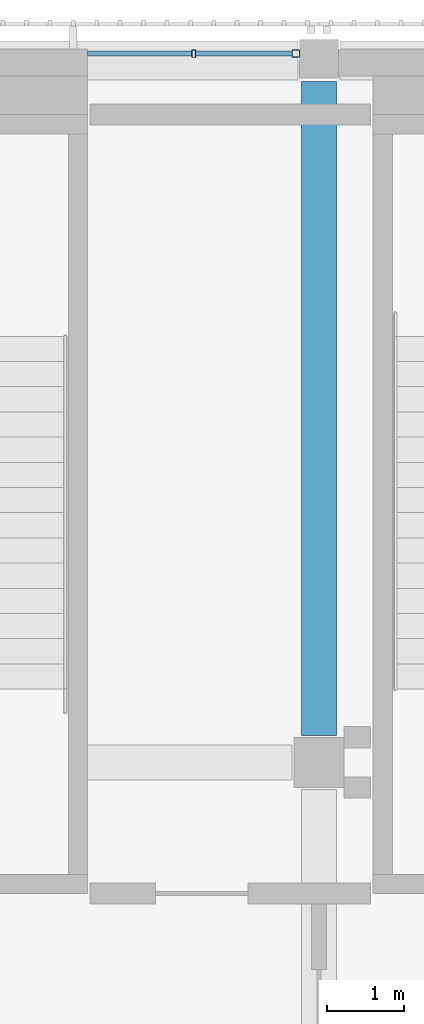
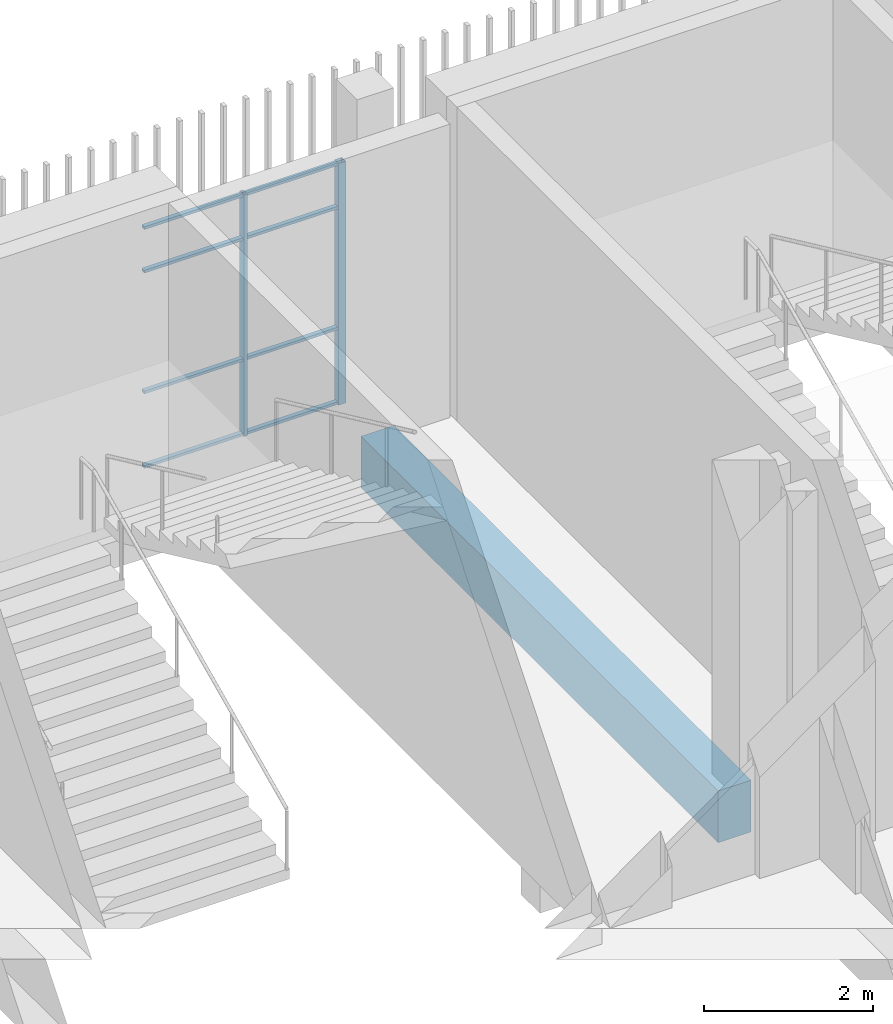
# One storey, part 22 of 104: 10 members, 1 beam, 1 element without a shape of its own.
"""IFC4 building model written with IfcOpenShell, lengths in metres."""

import ifcopenshell
import ifcopenshell.guid

model = None  # the IFC model being written
_history = None  # IfcOwnerHistory: only IFC2X3 demands one
_inside = {}  # id of a spatial element -> (the spatial element, [elements in it])
_under = {}  # id of a project, library or spatial element -> (it, [spatial elements below it])
_declared = {}  # id of a project -> (the project, [libraries it declares])
_typed = {}  # id of a type object -> (the type object, [elements of that type])
_made_of = {}  # id of a material, layer set ... -> (it, [elements and type objects made of it])


def new_model(schema):
    """Start an empty IFC model of exactly this schema.

    Asked for "IFC4X3", IfcOpenShell would pick the latest addendum, in which some entities
    have other attributes; the version numbers below select the first issue.
    IFC2X3 requires an IfcOwnerHistory on every rooted entity: one is made here for all.
    """
    global model, _history
    if schema == "IFC4X3":
        model = ifcopenshell.file(schema_version=(4, 3, 0, 0))
    else:
        model = ifcopenshell.file(schema=schema)
    _inside.clear()
    _under.clear()
    _declared.clear()
    _typed.clear()
    _made_of.clear()
    _history = None
    if model.schema == "IFC2X3":
        org = make("IfcOrganization", Name="unknown")
        user = make(
            "IfcPersonAndOrganization",
            ThePerson=make("IfcPerson", FamilyName="unknown"),
            TheOrganization=org,
        )
        app = make(
            "IfcApplication",
            ApplicationDeveloper=org,
            Version="unknown",
            ApplicationFullName="unknown",
            ApplicationIdentifier="unknown",
        )
        _history = make(
            "IfcOwnerHistory",
            OwningUser=user,
            OwningApplication=app,
            ChangeAction="ADDED",
            CreationDate=0,
        )
    return model


def make(cls, **values):
    """One entity of the class cls with the attributes given. An attribute that is None is left unset."""
    return model.create_entity(
        cls, **{name: value for name, value in values.items() if value is not None}
    )


def rooted(cls, **values):
    """An entity with a GlobalId (a new one), such as an element, a storey or a relation."""
    return make(cls, GlobalId=ifcopenshell.guid.new(), OwnerHistory=_history, **values)


def si_unit(unit_type, name, prefix=None):
    """IfcSIUnit, for example si_unit("LENGTHUNIT", "METRE", prefix="MILLI")."""
    return make("IfcSIUnit", UnitType=unit_type, Prefix=prefix, Name=name)


def assignment(units):
    """IfcUnitAssignment: the units of a project."""
    return None if units is None else make("IfcUnitAssignment", Units=units)


def point(xyz):
    """IfcCartesianPoint."""
    return None if xyz is None else make("IfcCartesianPoint", Coordinates=xyz)


def direction(xyz):
    """IfcDirection."""
    return None if xyz is None else make("IfcDirection", DirectionRatios=xyz)


def frame(location, z_axis=None, x_axis=None):
    """IfcAxis2Placement3D, a coordinate frame: its origin and axes. An axis left out is left unset."""
    return make(
        "IfcAxis2Placement3D",
        Location=point(location),
        Axis=direction(z_axis),
        RefDirection=direction(x_axis),
    )


def frame_2d(location, x_axis=None):
    """IfcAxis2Placement2D, a coordinate frame in the plane: its origin and x axis."""
    return make(
        "IfcAxis2Placement2D", Location=point(location), RefDirection=direction(x_axis)
    )


def origin():
    """The frame at (0, 0, 0) with its axes left unset."""
    return frame((0.0, 0.0, 0.0))


def origin_2d():
    """The frame at (0, 0) in the plane with its x axis left unset."""
    return frame_2d((0.0, 0.0))


def place(relative_to, where):
    """IfcLocalPlacement: puts the frame where relative to a parent placement (None: the world)."""
    return make(
        "IfcLocalPlacement", PlacementRelTo=relative_to, RelativePlacement=where
    )


def context(
    kind, dimensions, precision=None, world=None, true_north=None, identifier=None
):
    """IfcGeometricRepresentationContext, for example the 3D "Model" context."""
    return make(
        "IfcGeometricRepresentationContext",
        ContextIdentifier=identifier,
        ContextType=kind,
        CoordinateSpaceDimension=dimensions,
        Precision=precision,
        WorldCoordinateSystem=world,
        TrueNorth=true_north,
    )


def subcontext(parent, identifier, kind, view, scale=None):
    """IfcGeometricRepresentationSubContext, for example "Body" below "Model"."""
    return make(
        "IfcGeometricRepresentationSubContext",
        ContextIdentifier=identifier,
        ContextType=kind,
        ParentContext=parent,
        TargetScale=scale,
        TargetView=view,
    )


def project(units=None, contexts=None):
    """IfcProject with its units and contexts."""
    return rooted(
        "IfcProject",
        Name="project",
        RepresentationContexts=contexts,
        UnitsInContext=assignment(units),
    )


def spatial(cls, under=None, at=None, **own):
    """A site, building, storey or space (cls), placed at a placement, below another one or the project."""
    s = rooted(cls, ObjectPlacement=at, **own)
    if under is not None:
        _under.setdefault(under.id(), (under, []))[1].append(s)
    return s


def profile(cls, at=None, kind="AREA", **sizes):
    """A parametric profile (cls). Its sizes go by their IFC names, for example OverallWidth=200.0."""
    return make(cls, ProfileType=kind, Position=at, **sizes)


def rectangle(**sizes):
    """IfcRectangleProfileDef."""
    return profile("IfcRectangleProfileDef", **sizes)


def hollow_rectangle(**sizes):
    """IfcRectangleHollowProfileDef."""
    return profile("IfcRectangleHollowProfileDef", **sizes)


def extrude(swept, where, along, depth):
    """IfcExtrudedAreaSolid: the profile swept, set in the frame where, extruded along a direction by depth."""
    return make(
        "IfcExtrudedAreaSolid",
        SweptArea=swept,
        Position=where,
        ExtrudedDirection=direction(along),
        Depth=depth,
    )


def shape(context_of_items, identifier, shape_type, items):
    """IfcShapeRepresentation: the items that make up one representation, for example the "Body"."""
    return make(
        "IfcShapeRepresentation",
        ContextOfItems=context_of_items,
        RepresentationIdentifier=identifier,
        RepresentationType=shape_type,
        Items=items,
    )


def material(Name=None, Category=None):
    """IfcMaterial."""
    return make("IfcMaterial", Name=Name, Category=Category)


def layer(
    of_material, thickness, ventilated=None, Name=None, Category=None, Priority=None
):
    """IfcMaterialLayer: one layer of a wall or slab, of a material (None: an air gap)."""
    return make(
        "IfcMaterialLayer",
        Material=of_material,
        LayerThickness=thickness,
        IsVentilated=ventilated,
        Name=Name,
        Category=Category,
        Priority=Priority,
    )


def layer_set(layers, Name=None):
    """IfcMaterialLayerSet."""
    return make("IfcMaterialLayerSet", MaterialLayers=layers, LayerSetName=Name)


def material_profile(
    of_material, cross_section, Name=None, Category=None, Priority=None
):
    """IfcMaterialProfile: a cross section and its material."""
    return make(
        "IfcMaterialProfile",
        Name=Name,
        Material=of_material,
        Profile=cross_section,
        Priority=Priority,
        Category=Category,
    )


def profile_set(profiles, Name=None, composite=None):
    """IfcMaterialProfileSet."""
    return make(
        "IfcMaterialProfileSet",
        Name=Name,
        MaterialProfiles=profiles,
        CompositeProfile=composite,
    )


def made_of(thing, what):
    """Note that an element or type object is made of a material, layer set ...; save() writes the relation."""
    if what is not None:
        _made_of.setdefault(what.id(), (what, []))[1].append(thing)
    return thing


def type_object(cls, material=None, **own):
    """A type object (cls), such as IfcWallType, which elements share."""
    return made_of(rooted(cls, **own), material)


def element(
    cls,
    number,
    at=None,
    inside=None,
    cuts=None,
    type_object=None,
    material=None,
    context=None,
    identifier="Body",
    shape_type=None,
    held_by="IfcProductDefinitionShape",
    body=None,
    shapes=None,
    **own,
):
    """One element of the class cls, such as IfcWall. Its Tag is "e" and its number.

    at: its placement. inside: the storey or other place that contains it. cuts: it is an
    opening in that element (IfcRelVoidsElement). A single representation is given by context,
    identifier, shape_type and body (its items); several are given by shapes. held_by: the class
    of the entity that holds the representations. save() writes the other relations.
    """
    e = rooted(cls, Tag="e%d" % number, ObjectPlacement=at, **own)
    if body is not None:
        shapes = [shape(context, identifier, shape_type, body)]
    if shapes is not None:
        e.Representation = make(held_by, Representations=shapes)
    if inside is not None:
        _inside.setdefault(inside.id(), (inside, []))[1].append(e)
    if cuts is not None:
        rooted(
            "IfcRelVoidsElement", RelatingBuildingElement=cuts, RelatedOpeningElement=e
        )
    if type_object is not None:
        _typed.setdefault(type_object.id(), (type_object, []))[1].append(e)
    return made_of(e, material)


def aggregate(whole, parts):
    """IfcRelAggregates: a whole, such as a stair, and the parts it consists of."""
    return rooted("IfcRelAggregates", RelatingObject=whole, RelatedObjects=parts)


def save(model, path):
    """Write the relations noted so far, then the file.

    IfcRelAggregates (storeys below a building ...), IfcRelContainedInSpatialStructure (elements
    in a storey), IfcRelDefinesByType, IfcRelAssociatesMaterial and IfcRelDeclares: one each for
    every whole, place, type object, material and project.
    """
    for whole, parts in _under.values():
        aggregate(whole, parts)
    for where, things in _inside.values():
        rooted(
            "IfcRelContainedInSpatialStructure",
            RelatedElements=things,
            RelatingStructure=where,
        )
    for kind, things in _typed.values():
        rooted("IfcRelDefinesByType", RelatedObjects=things, RelatingType=kind)
    for what, things in _made_of.values():
        rooted("IfcRelAssociatesMaterial", RelatedObjects=things, RelatingMaterial=what)
    for by, libraries in _declared.values():
        rooted("IfcRelDeclares", RelatingContext=by, RelatedDefinitions=libraries)
    model.write(path)


model = new_model("IFC4")

# Units and contexts
model_context = context("Model", 3, precision=1e-05, world=origin(), true_north=direction((0.0, 1.0)))
body_context = subcontext(model_context, "Body", "Model", "MODEL_VIEW")
ifc_project = project(units=[si_unit("LENGTHUNIT", "METRE"), si_unit("AREAUNIT", "SQUARE_METRE"), si_unit("VOLUMEUNIT", "CUBIC_METRE"), si_unit("PLANEANGLEUNIT", "RADIAN"), si_unit("MASSUNIT", "GRAM", prefix="KILO")], contexts=[model_context])

# Site, building, storey
site_placement = place(None, origin())
site = spatial("IfcSite", under=ifc_project, at=site_placement, CompositionType="ELEMENT")
building_placement = place(site_placement, origin())
building = spatial("IfcBuilding", under=site, at=building_placement, Name="Shirokan Park Arena", CompositionType="ELEMENT")
storey_placement = place(building_placement, frame((0.0, 0.0, 10.919921875)))
storey = spatial("IfcBuildingStorey", under=building, at=storey_placement, Name="L02", CompositionType="ELEMENT", Elevation=10.919921875)

# Curtain wall, members
ifc_material_1 = material(Name="Steel and glass curtain wall", Category="steel")
ifc_layer = layer(ifc_material_1, 0.1201171875)
ifc_layer_set = layer_set([ifc_layer], Name="Steel and glass curtain wall 120 mm")
curtain_wall_type = type_object("IfcCurtainWallType", Name="Curtain wall corner block side bay 120", PredefinedType="NOTDEFINED", material=ifc_layer_set)
curtain_wall_placement = place(storey_placement, origin())
curtain_wall = element("IfcCurtainWall", 1, at=curtain_wall_placement, inside=storey, type_object=curtain_wall_type, Name="Curtain wall north bay 14 L02", PredefinedType="NOTDEFINED")
ifc_material_2 = material(Name="Steel S355", Category="steel")
ifc_material_profile_1 = material_profile(ifc_material_2, hollow_rectangle(XDim=0.10009765625, YDim=0.10009765625, WallThickness=0.006103515625, at=origin_2d()), Name="RHS 100x100x6")
ifc_profile_set_1 = profile_set([ifc_material_profile_1], Name="Steel S355")
member_type_1 = type_object("IfcMemberType", Name="Mullion RHS 100x100x6", PredefinedType="MULLION", material=ifc_profile_set_1)
member_1_placement = place(storey_placement, frame((27.0, 109.2900390625, 0.0), z_axis=(0.0, 0.0, 1.0), x_axis=(0.0, -1.0, 0.0)))
member_1 = element("IfcMember", 2, at=member_1_placement, type_object=member_type_1, Name="CW3 mullion 1", PredefinedType="MULLION", context=body_context, shape_type="SweptSolid", body=[
    extrude(hollow_rectangle(XDim=0.10009765625, YDim=0.10009765625, WallThickness=0.006103515625, at=origin_2d()), origin(), (0.0, 0.0, 1.0), 3.5),
])
ifc_material_profile_2 = material_profile(ifc_material_2, hollow_rectangle(XDim=0.10009765625, YDim=0.050048828125, WallThickness=0.0048828125, at=origin_2d()), Name="RHS 100x50x5")
ifc_profile_set_2 = profile_set([ifc_material_profile_2], Name="Steel S355")
member_type_2 = type_object("IfcMemberType", Name="Mullion RHS 100x50x5", PredefinedType="MULLION", material=ifc_profile_set_2)
member_2_placement = place(storey_placement, frame((25.675048828125, 109.2900390625, 0.0), z_axis=(0.0, 0.0, 1.0), x_axis=(0.0, -1.0, 0.0)))
member_2 = element("IfcMember", 3, at=member_2_placement, type_object=member_type_2, Name="CW3 mullion 2", PredefinedType="MULLION", context=body_context, shape_type="SweptSolid", body=[
    extrude(hollow_rectangle(XDim=0.10009765625, YDim=0.050048828125, WallThickness=0.0048828125, at=origin_2d()), origin(), (0.0, 0.0, 1.0), 3.5),
])

# Beam
ifc_material_3 = material(Name="Concrete C35", Category="concrete")
ifc_material_profile_3 = material_profile(ifc_material_3, rectangle(XDim=0.449951171875, YDim=0.75, at=origin_2d()), Name="450x750")
ifc_profile_set_3 = profile_set([ifc_material_profile_3], Name="Concrete C35")
beam_type = type_object("IfcBeamType", Name="RC girder 450x750", PredefinedType="BEAM", material=ifc_profile_set_3)
beam_placement = place(storey_placement, frame((27.300048828125, 100.4501953125, -0.6748046875), z_axis=(0.0, 1.0, 0.0), x_axis=(-1.0, 0.0, 0.0)))
element("IfcBeam", 4, at=beam_placement, inside=storey, type_object=beam_type, Name="Girder 4M-4N L02", PredefinedType="BEAM", context=body_context, shape_type="SweptSolid", body=[
    extrude(rectangle(XDim=0.449951171875, YDim=0.75, at=origin_2d()), origin(), (0.0, 0.0, 1.0), 8.474609375),
])

# Member
ifc_material_profile_4 = material_profile(ifc_material_2, hollow_rectangle(XDim=0.06005859375, YDim=0.0400390625, WallThickness=0.00390625, at=origin_2d()), Name="RHS 60x40x4")
ifc_profile_set_4 = profile_set([ifc_material_profile_4], Name="Steel S355")
member_type_3 = type_object("IfcMemberType", Name="Transom RHS 60x40x4", PredefinedType="MULLION", material=ifc_profile_set_4)
member_3_placement = place(storey_placement, frame((26.949951171875, 109.2900390625, 0.02001953125), z_axis=(-1.0, 0.0, 0.0), x_axis=(0.0, -1.0, 0.0)))
member_3 = element("IfcMember", 5, at=member_3_placement, type_object=member_type_3, Name="CW3 transom 1.1", PredefinedType="MULLION", context=body_context, shape_type="SweptSolid", body=[
    extrude(hollow_rectangle(XDim=0.06005859375, YDim=0.0400390625, WallThickness=0.00390625, at=origin_2d()), origin(), (0.0, 0.0, 1.0), 1.25),
])

member_4_placement = place(storey_placement, frame((26.949951171875, 109.2900390625, 1.10009765625), z_axis=(-1.0, 0.0, 0.0), x_axis=(0.0, -1.0, 0.0)))
member_4 = element("IfcMember", 6, at=member_4_placement, type_object=member_type_3, Name="CW3 transom 1.2", PredefinedType="MULLION", context=body_context, shape_type="SweptSolid", body=[
    extrude(hollow_rectangle(XDim=0.06005859375, YDim=0.0400390625, WallThickness=0.00390625, at=origin_2d()), origin(), (0.0, 0.0, 1.0), 1.25),
])

member_5_placement = place(storey_placement, frame((26.949951171875, 109.2900390625, 2.85009765625), z_axis=(-1.0, 0.0, 0.0), x_axis=(0.0, -1.0, 0.0)))
member_5 = element("IfcMember", 7, at=member_5_placement, type_object=member_type_3, Name="CW3 transom 1.3", PredefinedType="MULLION", context=body_context, shape_type="SweptSolid", body=[
    extrude(hollow_rectangle(XDim=0.06005859375, YDim=0.0400390625, WallThickness=0.00390625, at=origin_2d()), origin(), (0.0, 0.0, 1.0), 1.25),
])

member_6_placement = place(storey_placement, frame((26.949951171875, 109.2900390625, 3.47998046875), z_axis=(-1.0, 0.0, 0.0), x_axis=(0.0, -1.0, 0.0)))
member_6 = element("IfcMember", 8, at=member_6_placement, type_object=member_type_3, Name="CW3 transom 1.4", PredefinedType="MULLION", context=body_context, shape_type="SweptSolid", body=[
    extrude(hollow_rectangle(XDim=0.06005859375, YDim=0.0400390625, WallThickness=0.00390625, at=origin_2d()), origin(), (0.0, 0.0, 1.0), 1.25),
])

member_7_placement = place(storey_placement, frame((25.64990234375, 109.2900390625, 0.02001953125), z_axis=(-1.0, 0.0, 0.0), x_axis=(0.0, -1.0, 0.0)))
member_7 = element("IfcMember", 9, at=member_7_placement, type_object=member_type_3, Name="CW3 transom 2.1", PredefinedType="MULLION", context=body_context, shape_type="SweptSolid", body=[
    extrude(hollow_rectangle(XDim=0.06005859375, YDim=0.0400390625, WallThickness=0.00390625, at=origin_2d()), origin(), (0.0, 0.0, 1.0), 1.349853515625),
])

member_8_placement = place(storey_placement, frame((25.64990234375, 109.2900390625, 1.10009765625), z_axis=(-1.0, 0.0, 0.0), x_axis=(0.0, -1.0, 0.0)))
member_8 = element("IfcMember", 10, at=member_8_placement, type_object=member_type_3, Name="CW3 transom 2.2", PredefinedType="MULLION", context=body_context, shape_type="SweptSolid", body=[
    extrude(hollow_rectangle(XDim=0.06005859375, YDim=0.0400390625, WallThickness=0.00390625, at=origin_2d()), origin(), (0.0, 0.0, 1.0), 1.349853515625),
])

member_9_placement = place(storey_placement, frame((25.64990234375, 109.2900390625, 2.85009765625), z_axis=(-1.0, 0.0, 0.0), x_axis=(0.0, -1.0, 0.0)))
member_9 = element("IfcMember", 11, at=member_9_placement, type_object=member_type_3, Name="CW3 transom 2.3", PredefinedType="MULLION", context=body_context, shape_type="SweptSolid", body=[
    extrude(hollow_rectangle(XDim=0.06005859375, YDim=0.0400390625, WallThickness=0.00390625, at=origin_2d()), origin(), (0.0, 0.0, 1.0), 1.349853515625),
])

member_10_placement = place(storey_placement, frame((25.64990234375, 109.2900390625, 3.47998046875), z_axis=(-1.0, 0.0, 0.0), x_axis=(0.0, -1.0, 0.0)))
member_10 = element("IfcMember", 12, at=member_10_placement, type_object=member_type_3, Name="CW3 transom 2.4", PredefinedType="MULLION", context=body_context, shape_type="SweptSolid", body=[
    extrude(hollow_rectangle(XDim=0.06005859375, YDim=0.0400390625, WallThickness=0.00390625, at=origin_2d()), origin(), (0.0, 0.0, 1.0), 1.349853515625),
])

aggregate(curtain_wall, [member_1, member_2, member_3, member_4, member_5, member_6, member_7, member_8, member_9, member_10])

save(model, "model.ifc")
